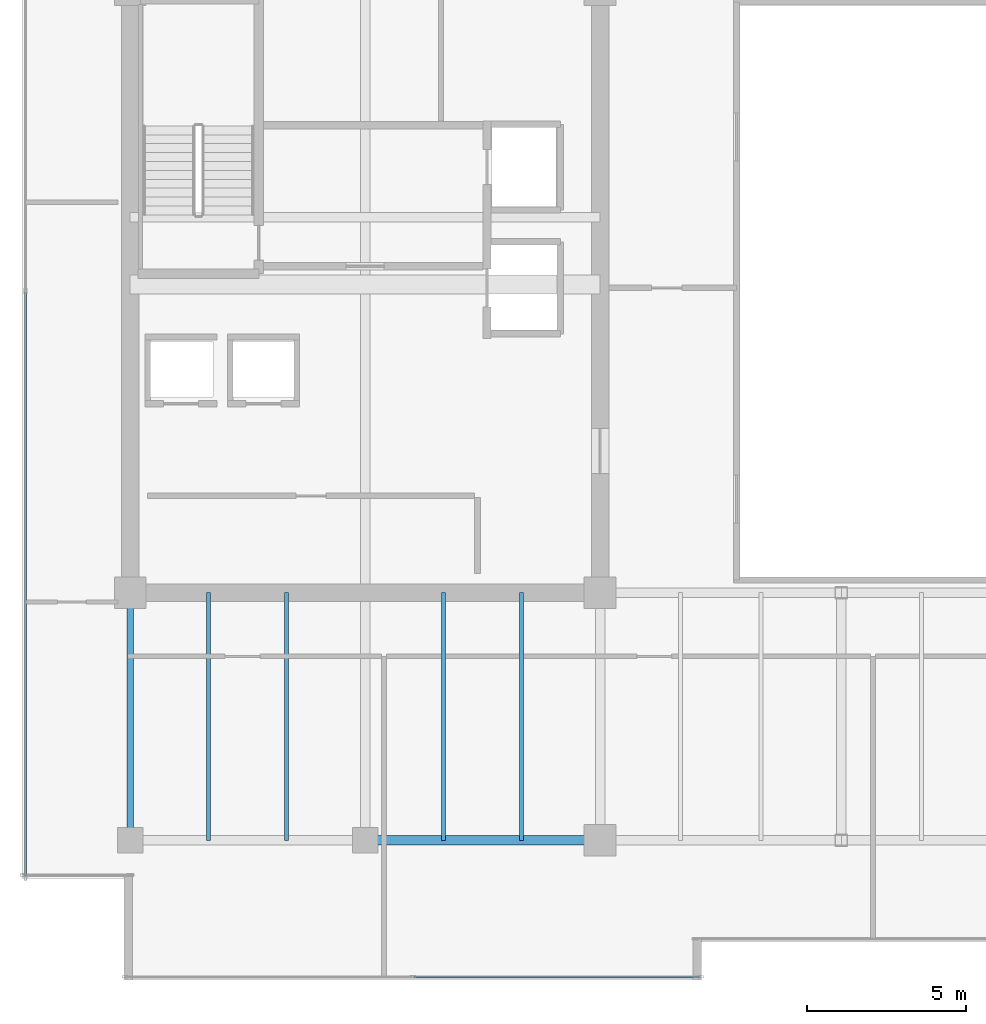
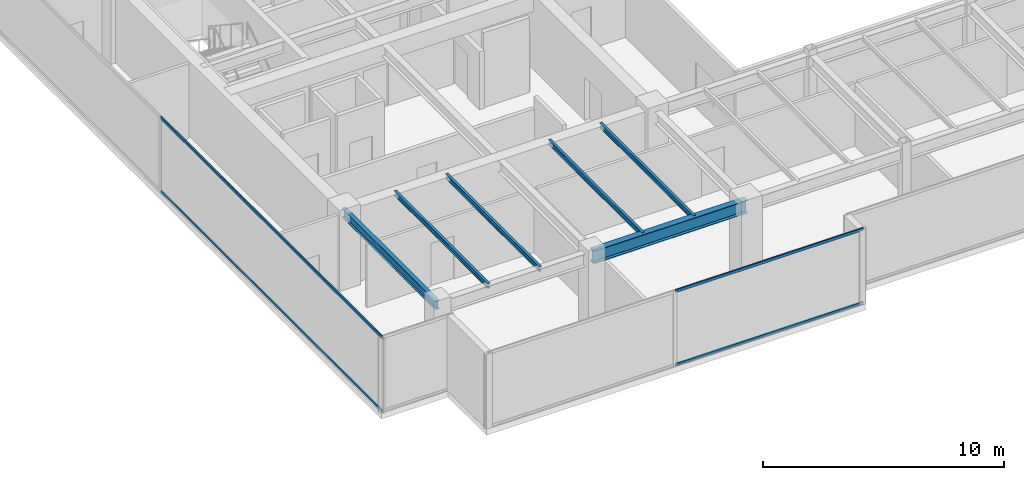
# One storey, part 6 of 33: 6 beams, 4 members, 2 elements without a shape of their own.
"""IFC4 building model written with IfcOpenShell, lengths in metres."""

from ifc_helpers import new_model, si_unit, direction, frame, origin, origin_2d, place, context, subcontext, project, spatial, hollow_rectangle, i_section, extrude, source, transform, mapped, material, layer, layer_set, material_profile, profile_set, type_object, type_shapes, element, aggregate, save


model = new_model("IFC4")

# Units and contexts
model_context = context("Model", 3, precision=1e-05, world=origin(), true_north=direction((0.0, 1.0)))
body_context = subcontext(model_context, "Body", "Model", "MODEL_VIEW")
ifc_project = project(units=[si_unit("LENGTHUNIT", "METRE"), si_unit("AREAUNIT", "SQUARE_METRE"), si_unit("VOLUMEUNIT", "CUBIC_METRE"), si_unit("PLANEANGLEUNIT", "RADIAN"), si_unit("MASSUNIT", "GRAM", prefix="KILO")], contexts=[model_context])

# Site, building, storey
site_placement = place(None, origin())
site = spatial("IfcSite", under=ifc_project, at=site_placement, CompositionType="ELEMENT")
building_placement = place(site_placement, origin())
building = spatial("IfcBuilding", under=site, at=building_placement, Name="Haelvirn Gate Laboratories", CompositionType="ELEMENT")
storey_placement = place(building_placement, frame((0.0, 0.0, 250.60009765625)))
storey = spatial("IfcBuildingStorey", under=building, at=storey_placement, Name="L60", CompositionType="ELEMENT", Elevation=250.60009765625)

# Beams
ifc_material_1 = material(Name="Steel SM355", Category="steel")
ifc_material_profile_1 = material_profile(ifc_material_1, i_section(OverallWidth=0.300048828125, OverallDepth=0.64990234375, WebThickness=0.012939453125, FlangeThickness=0.02197265625, at=origin_2d()), Name="H-650x300x13x22")
ifc_profile_set_1 = profile_set([ifc_material_profile_1], Name="Steel SM355")
beam_type_1 = type_object("IfcBeamType", Name="BM-G-650", PredefinedType="BEAM", material=ifc_profile_set_1)
shared_shape_1 = source(origin(), body_context, "Body", "SweptSolid", [
    extrude(i_section(OverallWidth=0.300048828125, OverallDepth=0.64990234375, WebThickness=0.012939453125, FlangeThickness=0.02197265625, at=origin_2d()), origin(), (0.0, 0.0, 1.0), 7.39990234375),
])
type_shapes(beam_type_1, [shared_shape_1])
beam_1_placement = place(storey_placement, frame((14.800048828125, 7.0, 3.474853515625), z_axis=(1.0, 0.0, 0.0), x_axis=(0.0, 1.0, 0.0)))
element("IfcBeam", 1, at=beam_1_placement, inside=storey, type_object=beam_type_1, Name="L60 Primary Girder Y7.0 (14.8-22.2)", PredefinedType="BEAM", context=body_context, shape_type="MappedRepresentation", body=[
    mapped(shared_shape_1, transform((0.0, 0.0, 0.0), scale=1.0)),
])
ifc_material_profile_2 = material_profile(ifc_material_1, i_section(OverallWidth=0.199951171875, OverallDepth=0.449951171875, WebThickness=0.009033203125, FlangeThickness=0.013916015625, at=origin_2d()), Name="H-450x200x9x14")
ifc_profile_set_2 = profile_set([ifc_material_profile_2], Name="Steel SM355")
beam_type_2 = type_object("IfcBeamType", Name="BM-SP-450", PredefinedType="SPANDREL", material=ifc_profile_set_2)
shared_shape_2 = source(origin(), body_context, "Body", "SweptSolid", [
    extrude(i_section(OverallWidth=0.199951171875, OverallDepth=0.449951171875, WebThickness=0.009033203125, FlangeThickness=0.013916015625, at=origin_2d()), origin(), (0.0, 0.0, 1.0), 7.800048828125),
])
type_shapes(beam_type_2, [shared_shape_2])
beam_2_placement = place(storey_placement, frame((7.39990234375, 7.0, 3.574951171875), z_axis=(0.0, 1.0, 0.0), x_axis=(-1.0, 0.0, 0.0)))
element("IfcBeam", 2, at=beam_2_placement, inside=storey, type_object=beam_type_2, Name="L60 Perimeter Spandrel X7.4 (7.0-14.8)", PredefinedType="SPANDREL", context=body_context, shape_type="MappedRepresentation", body=[
    mapped(shared_shape_2, transform((0.0, 0.0, 0.0), scale=1.0)),
])
ifc_material_profile_3 = material_profile(ifc_material_1, i_section(OverallWidth=0.125, OverallDepth=0.25, WebThickness=0.006103515625, FlangeThickness=0.009033203125, at=origin_2d()), Name="H-250x125x6x9")
ifc_profile_set_3 = profile_set([ifc_material_profile_3], Name="Steel SM355")
beam_type_3 = type_object("IfcBeamType", Name="BM-J-250", PredefinedType="JOIST", material=ifc_profile_set_3)
shared_shape_3 = source(origin(), body_context, "Body", "SweptSolid", [
    extrude(i_section(OverallWidth=0.125, OverallDepth=0.25, WebThickness=0.006103515625, FlangeThickness=0.009033203125, at=origin_2d()), origin(), (0.0, 0.0, 1.0), 7.800048828125),
])
type_shapes(beam_type_3, [shared_shape_3])
for number, where, z_axis, x_axis, name in (
    (3, (9.8701171875, 7.0, 3.6748046875), (0.0, 1.0, 0.0), (-1.0, 0.0, 0.0), "L60 Composite Lab Joist South X9.87"),
    (4, (12.330078125, 7.0, 3.6748046875), (0.0, 1.0, 0.0), (-1.0, 0.0, 0.0), "L60 Composite Lab Joist South X12.33"),
    (5, (17.27001953125, 7.0, 3.6748046875), (0.0, 1.0, 0.0), (-1.0, 0.0, 0.0), "L60 Composite Lab Joist South X17.27"),
    (6, (19.72998046875, 7.0, 3.6748046875), (0.0, 1.0, 0.0), (-1.0, 0.0, 0.0), "L60 Composite Lab Joist South X19.73"),
):
    element("IfcBeam", number, at=place(storey_placement, frame(where, z_axis=z_axis, x_axis=x_axis)), inside=storey, type_object=beam_type_3, Name=name, PredefinedType="JOIST", context=body_context, shape_type="MappedRepresentation", body=[
        mapped(shared_shape_3, transform((0.0, 0.0, 0.0), scale=1.0)),
    ])

# Curtain wall, members
ifc_material_2 = material(Name="Anodised bronze unitised aluminium & triple low-E glass", Category="aluminium")
ifc_layer = layer(ifc_material_2, 0.176025390625, Name="CW-SYS-4")
ifc_layer_set = layer_set([ifc_layer], Name="Anodised bronze unitised aluminium & triple low-E glass")
curtain_wall_type = type_object("IfcCurtainWallType", Name="CW-SYS-4", PredefinedType="NOTDEFINED", material=ifc_layer_set)
curtain_wall_1_placement = place(storey_placement, origin())
curtain_wall_1 = element("IfcCurtainWall", 7, at=curtain_wall_1_placement, inside=storey, type_object=curtain_wall_type, Name="L60 Unitised Curtain Wall CW-L60-P0-E00-1", PredefinedType="NOTDEFINED")
ifc_material_3 = material(Name="Extruded aluminium 6063-T6 (anodised bronze)", Category="aluminium")
ifc_material_profile_4 = material_profile(ifc_material_3, hollow_rectangle(XDim=0.06494140625, YDim=0.139892578125, WallThickness=0.00390625, at=origin_2d()), Name="CWT-140x65x4")
ifc_profile_set_4 = profile_set([ifc_material_profile_4], Name="Extruded aluminium 6063-T6 (anodised bronze)")
member_type = type_object("IfcMemberType", Name="CWT-T140", PredefinedType="USERDEFINED", material=ifc_profile_set_4)
shared_shape_4 = source(origin(), body_context, "Body", "SweptSolid", [
    extrude(hollow_rectangle(XDim=0.06494140625, YDim=0.139892578125, WallThickness=0.00390625, at=origin_2d()), origin(), (0.0, 0.0, 1.0), 8.9951171875),
])
member_1_placement = place(storey_placement, frame((16.3349609375, 2.699951171875, 0.032470703125), z_axis=(1.0, 0.0, 0.0), x_axis=(0.0, 1.0, 0.0)))
member_1 = element("IfcMember", 8, at=member_1_placement, type_object=member_type, Name="CW4 transom 2.1", ObjectType="TRANSOM", PredefinedType="USERDEFINED", context=body_context, shape_type="MappedRepresentation", body=[
    mapped(shared_shape_4, transform((0.0, 0.0, 0.0), scale=1.0)),
])
member_2_placement = place(storey_placement, frame((16.3349609375, 2.699951171875, 3.767333984375), z_axis=(1.0, 0.0, 0.0), x_axis=(0.0, 1.0, 0.0)))
member_2 = element("IfcMember", 9, at=member_2_placement, type_object=member_type, Name="CW4 transom 2.2", ObjectType="TRANSOM", PredefinedType="USERDEFINED", context=body_context, shape_type="MappedRepresentation", body=[
    mapped(shared_shape_4, transform((0.0, 0.0, 0.0), scale=1.0)),
])
aggregate(curtain_wall_1, [member_1, member_2])

curtain_wall_2_placement = place(storey_placement, origin())
curtain_wall_2 = element("IfcCurtainWall", 10, at=curtain_wall_2_placement, inside=storey, type_object=curtain_wall_type, Name="L60 Unitised Curtain Wall CW-L60-P0-E17", PredefinedType="NOTDEFINED")
shared_shape_5 = source(origin(), body_context, "Body", "SweptSolid", [
    extrude(hollow_rectangle(XDim=0.06494140625, YDim=0.139892578125, WallThickness=0.00390625, at=origin_2d()), origin(), (0.0, 0.0, 1.0), 18.394775390625),
])
type_shapes(member_type, [shared_shape_4, shared_shape_5])
member_3_placement = place(storey_placement, frame((4.10009765625, 24.264892578125, 0.032470703125), z_axis=(0.0, -1.0, 0.0), x_axis=(1.0, 0.0, 0.0)))
member_3 = element("IfcMember", 11, at=member_3_placement, type_object=member_type, Name="CW4 transom 2.1", ObjectType="TRANSOM", PredefinedType="USERDEFINED", context=body_context, shape_type="MappedRepresentation", body=[
    mapped(shared_shape_5, transform((0.0, 0.0, 0.0), scale=1.0)),
])
member_4_placement = place(storey_placement, frame((4.10009765625, 24.264892578125, 3.767333984375), z_axis=(0.0, -1.0, 0.0), x_axis=(1.0, 0.0, 0.0)))
member_4 = element("IfcMember", 12, at=member_4_placement, type_object=member_type, Name="CW4 transom 2.2", ObjectType="TRANSOM", PredefinedType="USERDEFINED", context=body_context, shape_type="MappedRepresentation", body=[
    mapped(shared_shape_5, transform((0.0, 0.0, 0.0), scale=1.0)),
])
aggregate(curtain_wall_2, [member_3, member_4])

save(model, "model.ifc")
